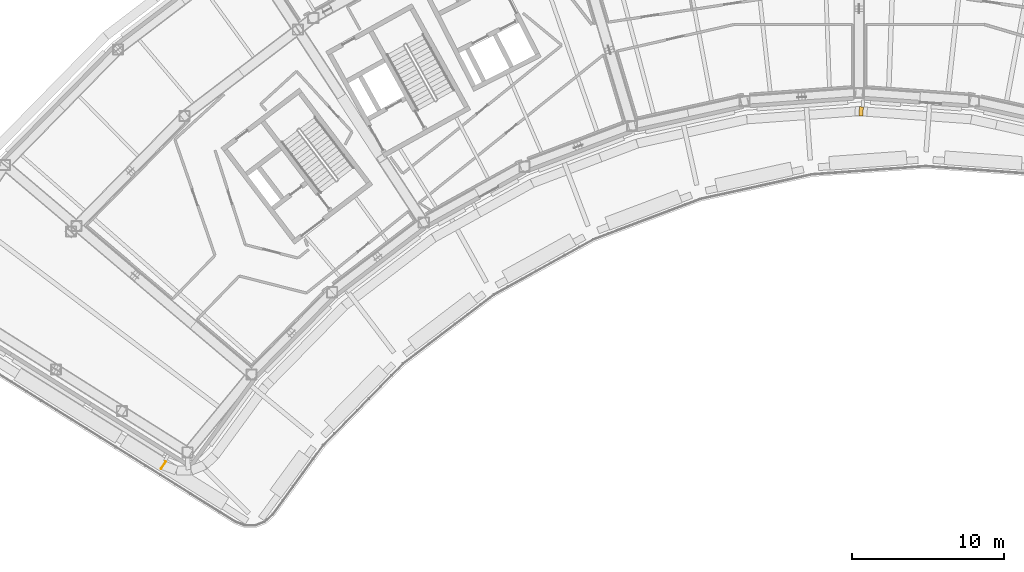
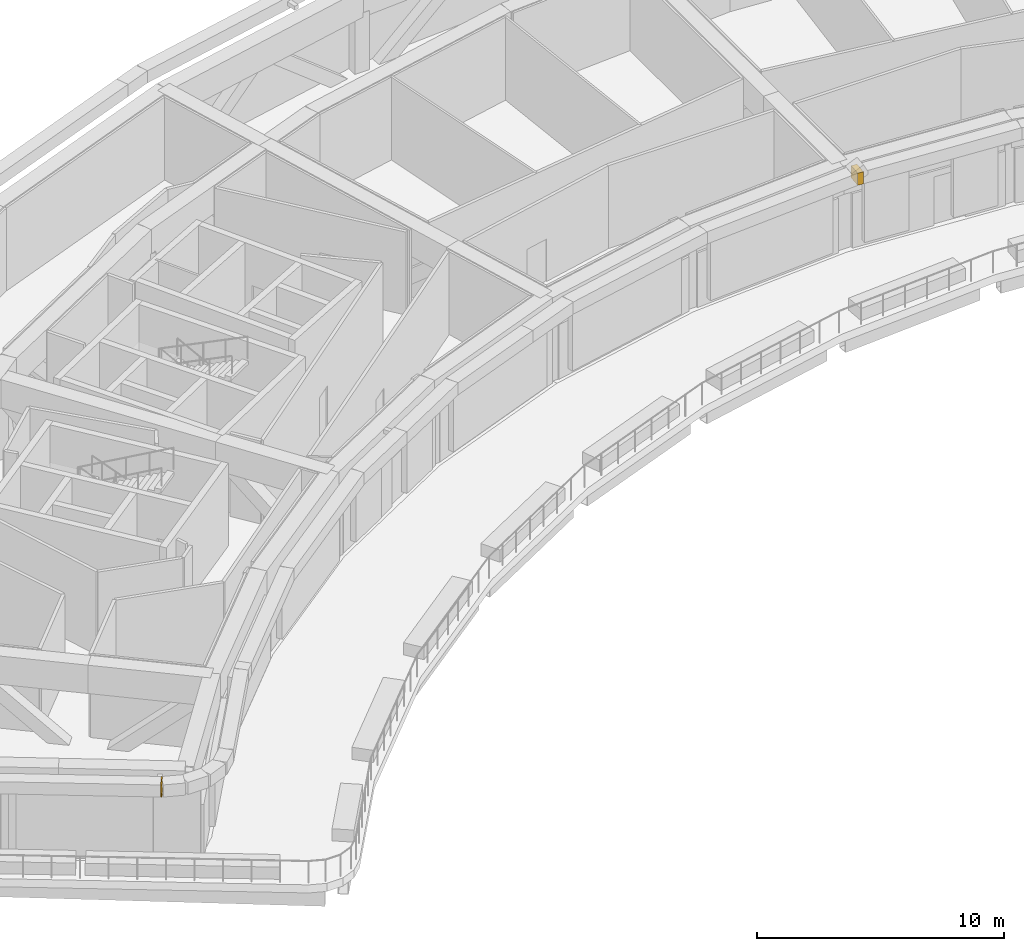
# One storey, part 25 of 26: 2 coverings.
"""IFC4 building model written with IfcOpenShell, lengths in metres."""

from ifc_helpers import new_model, si_unit, direction, frame, origin, origin_2d, place, context, subcontext, project, spatial, rectangle, extrude, material, material_profile, profile_set, type_object, element, save


model = new_model("IFC4")

# Units and contexts
model_context = context("Model", 3, precision=1e-05, world=origin(), true_north=direction((0.0, 1.0)))
body_context = subcontext(model_context, "Body", "Model", "MODEL_VIEW")
ifc_project = project(units=[si_unit("LENGTHUNIT", "METRE"), si_unit("AREAUNIT", "SQUARE_METRE"), si_unit("VOLUMEUNIT", "CUBIC_METRE"), si_unit("PLANEANGLEUNIT", "RADIAN"), si_unit("MASSUNIT", "GRAM", prefix="KILO")], contexts=[model_context])

# Site, building, storey
site_placement = place(None, origin())
site = spatial("IfcSite", under=ifc_project, at=site_placement, CompositionType="ELEMENT")
building_placement = place(site_placement, origin())
building = spatial("IfcBuilding", under=site, at=building_placement, Name="Tuul Gate Civic Tower", CompositionType="ELEMENT")
storey_placement = place(building_placement, frame((0.0, 0.0, 167.60009765625)))
storey = spatial("IfcBuildingStorey", under=building, at=storey_placement, Name="Plant and refuge floor 5", CompositionType="ELEMENT", Elevation=167.60009765625)

# Coverings
ifc_material = material(Name="Terracotta baguette", Category="masonry")
ifc_material_profile = material_profile(ifc_material, rectangle(XDim=0.60009765625, YDim=0.60009765625, at=origin_2d()), Name="Terracotta baguette screen frame")
ifc_profile_set = profile_set([ifc_material_profile], Name="Terracotta baguette")
covering_type = type_object("IfcCoveringType", Name="Terracotta baguette screen frame", PredefinedType="CLADDING", material=ifc_profile_set)
covering_1_placement = place(storey_placement, frame((-44.939453125, -32.290283203125, 4.14990234375), z_axis=(0.846696104238, -0.532076786816, 0.0), x_axis=(0.532076786816, 0.846696104238, 0.0)))
element("IfcCovering", 1, at=covering_1_placement, inside=storey, type_object=covering_type, Name="Baguette 157", PredefinedType="CLADDING", context=body_context, shape_type="SweptSolid", body=[
    extrude(rectangle(XDim=0.60009765625, YDim=0.60009765625, at=origin_2d()), origin(), (0.0, 0.0, 1.0), 0.052734375),
])
covering_2_placement = place(storey_placement, frame((0.989990234375, -8.943115234375, 4.14990234375), z_axis=(0.997435051841, -0.071577352276, 0.0), x_axis=(0.071577352276, 0.997435051841, 0.0)))
element("IfcCovering", 2, at=covering_2_placement, inside=storey, type_object=covering_type, Name="Baguette 383", PredefinedType="CLADDING", context=body_context, shape_type="SweptSolid", body=[
    extrude(rectangle(XDim=0.60009765625, YDim=0.60009765625, at=origin_2d()), origin(), (0.0, 0.0, 1.0), 0.2626953125),
])

save(model, "model.ifc")
